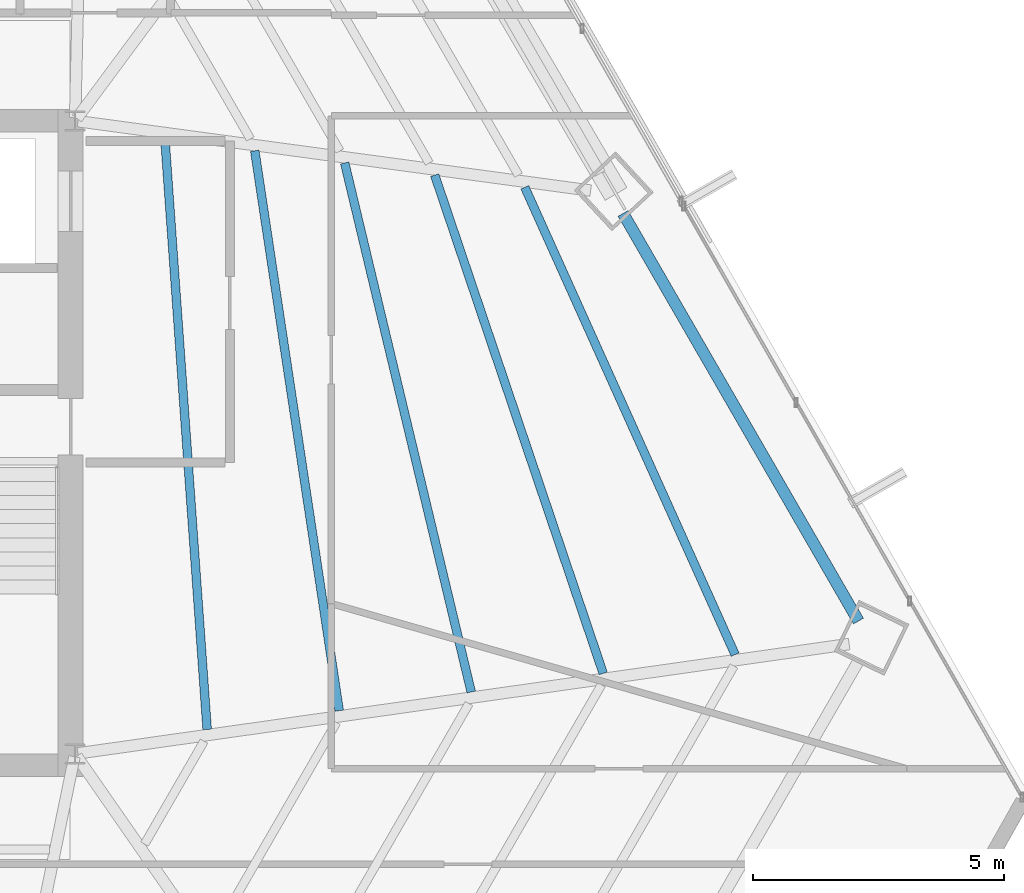
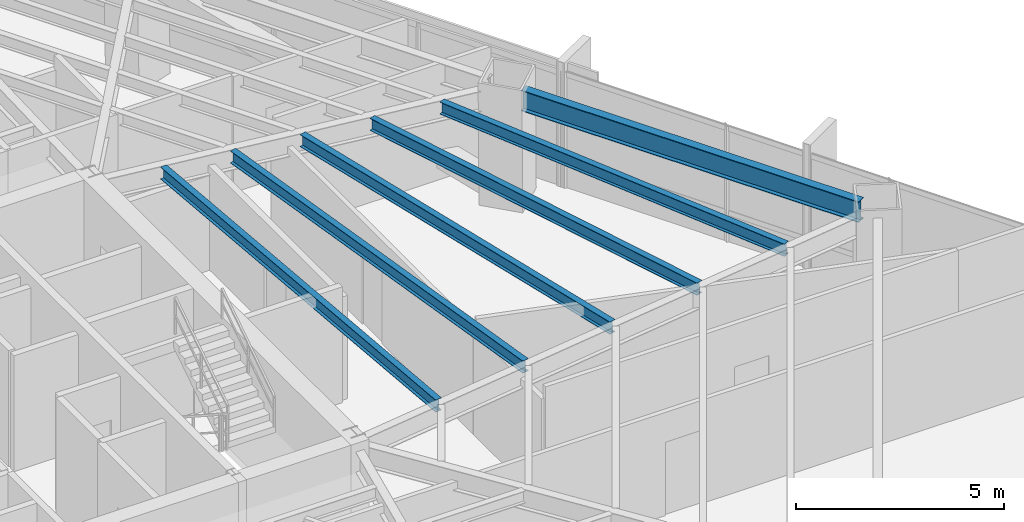
# One storey, part 20 of 36: 6 beams.
"""IFC4 building model written with IfcOpenShell, lengths in metres."""

from ifc_helpers import new_model, si_unit, direction, frame, origin, origin_2d, place, context, subcontext, project, spatial, i_section, extrude, source, transform, mapped, material, material_profile, profile_set, type_object, type_shapes, element, save


model = new_model("IFC4")

# Units and contexts
model_context = context("Model", 3, precision=1e-05, world=origin(), true_north=direction((0.0, 1.0)))
body_context = subcontext(model_context, "Body", "Model", "MODEL_VIEW")
ifc_project = project(units=[si_unit("LENGTHUNIT", "METRE"), si_unit("AREAUNIT", "SQUARE_METRE"), si_unit("VOLUMEUNIT", "CUBIC_METRE"), si_unit("PLANEANGLEUNIT", "RADIAN"), si_unit("MASSUNIT", "GRAM", prefix="KILO")], contexts=[model_context])

# Site, building, storey
site_placement = place(None, origin())
site = spatial("IfcSite", under=ifc_project, at=site_placement, CompositionType="ELEMENT")
building_placement = place(site_placement, origin())
building = spatial("IfcBuilding", under=site, at=building_placement, Name="Caelisora Broadcast Tower", CompositionType="ELEMENT")
storey_placement = place(building_placement, frame((0.0, 0.0, 83.5)))
storey = spatial("IfcBuildingStorey", under=building, at=storey_placement, Name="L21", CompositionType="ELEMENT", Elevation=83.5)

# Beams
ifc_material = material(Name="Steel Grade 350 (AS/NZS 3679.1)", Category="steel")
ifc_material_profile_1 = material_profile(ifc_material, i_section(OverallWidth=0.22900390625, OverallDepth=0.611572265625, WebThickness=0.011962890625, FlangeThickness=0.01953125, at=origin_2d()), Name="Steel Grade 350 (AS/NZS 3679.1)")
ifc_profile_set_1 = profile_set([ifc_material_profile_1], Name="Steel Grade 350 (AS/NZS 3679.1)")
beam_type_1 = type_object("IfcBeamType", Name="PG03", PredefinedType="BEAM", material=ifc_profile_set_1)
shared_shape_1 = source(origin(), body_context, "Body", "SweptSolid", [
    extrude(i_section(OverallWidth=0.22900390625, OverallDepth=0.611572265625, WebThickness=0.011962890625, FlangeThickness=0.01953125, at=origin_2d()), origin(), (0.0, 0.0, 1.0), 9.36962890625),
])
type_shapes(beam_type_1, [shared_shape_1])
beam_1_placement = place(storey_placement, frame((61.093505859375, 20.0419921875, 3.09423828125), z_axis=(-0.500003643774, 0.86602330004, 0.0), x_axis=(-0.86602330004, -0.500003643774, 0.0)))
element("IfcBeam", 1, at=beam_1_placement, inside=storey, type_object=beam_type_1, Name="L21 beam PG03", PredefinedType="BEAM", context=body_context, shape_type="MappedRepresentation", body=[
    mapped(shared_shape_1, transform((0.0, 0.0, 0.0), scale=1.0)),
])
ifc_material_profile_2 = material_profile(ifc_material, i_section(OverallWidth=0.172119140625, OverallDepth=0.358642578125, WebThickness=0.008056640625, FlangeThickness=0.012939453125, at=origin_2d()), Name="Steel Grade 350 (AS/NZS 3679.1)")
ifc_profile_set_2 = profile_set([ifc_material_profile_2], Name="Steel Grade 350 (AS/NZS 3679.1)")
beam_type_2 = type_object("IfcBeamType", Name="SB02", PredefinedType="JOIST", material=ifc_profile_set_2)
shared_shape_2 = source(origin(), body_context, "Body", "SweptSolid", [
    extrude(i_section(OverallWidth=0.172119140625, OverallDepth=0.358642578125, WebThickness=0.008056640625, FlangeThickness=0.012939453125, at=origin_2d()), origin(), (0.0, 0.0, 1.0), 11.791015625),
])
beam_2_placement = place(storey_placement, frame((48.12939453125, 17.885009765625, 3.220703125), z_axis=(-0.071372123725, 0.997449758111, 0.0), x_axis=(-0.997449758111, -0.071372123725, 0.0)))
element("IfcBeam", 2, at=beam_2_placement, inside=storey, type_object=beam_type_2, Name="L21 beam SB02", PredefinedType="JOIST", context=body_context, shape_type="MappedRepresentation", body=[
    mapped(shared_shape_2, transform((0.0, 0.0, 0.0), scale=1.0)),
])
shared_shape_3 = source(origin(), body_context, "Body", "SweptSolid", [
    extrude(i_section(OverallWidth=0.172119140625, OverallDepth=0.358642578125, WebThickness=0.008056640625, FlangeThickness=0.012939453125, at=origin_2d()), origin(), (0.0, 0.0, 1.0), 11.27197265625),
])
beam_3_placement = place(storey_placement, frame((50.7578125, 18.2578125, 3.220703125), z_axis=(-0.149122036075, 0.988818799557, 0.0), x_axis=(-0.988818799557, -0.149122036075, 0.0)))
element("IfcBeam", 3, at=beam_3_placement, inside=storey, type_object=beam_type_2, Name="L21 beam SB02", PredefinedType="JOIST", context=body_context, shape_type="MappedRepresentation", body=[
    mapped(shared_shape_3, transform((0.0, 0.0, 0.0), scale=1.0)),
])
shared_shape_4 = source(origin(), body_context, "Body", "SweptSolid", [
    extrude(i_section(OverallWidth=0.172119140625, OverallDepth=0.358642578125, WebThickness=0.008056640625, FlangeThickness=0.012939453125, at=origin_2d()), origin(), (0.0, 0.0, 1.0), 10.828125),
])
beam_4_placement = place(storey_placement, frame((53.3857421875, 18.63037109375, 3.220703125), z_axis=(-0.232618186176, 0.972568136153, 0.0), x_axis=(-0.972568136153, -0.232618186176, 0.0)))
element("IfcBeam", 4, at=beam_4_placement, inside=storey, type_object=beam_type_2, Name="L21 beam SB02", PredefinedType="JOIST", context=body_context, shape_type="MappedRepresentation", body=[
    mapped(shared_shape_4, transform((0.0, 0.0, 0.0), scale=1.0)),
])
shared_shape_5 = source(origin(), body_context, "Body", "SweptSolid", [
    extrude(i_section(OverallWidth=0.172119140625, OverallDepth=0.358642578125, WebThickness=0.008056640625, FlangeThickness=0.012939453125, at=origin_2d()), origin(), (0.0, 0.0, 1.0), 10.4677734375),
])
beam_5_placement = place(storey_placement, frame((56.0126953125, 19.002685546875, 3.220703125), z_axis=(-0.320387874312, 0.947286445588, 0.0), x_axis=(-0.947286445588, -0.320387874312, 0.0)))
element("IfcBeam", 5, at=beam_5_placement, inside=storey, type_object=beam_type_2, Name="L21 beam SB02", PredefinedType="JOIST", context=body_context, shape_type="MappedRepresentation", body=[
    mapped(shared_shape_5, transform((0.0, 0.0, 0.0), scale=1.0)),
])
shared_shape_6 = source(origin(), body_context, "Body", "SweptSolid", [
    extrude(i_section(OverallWidth=0.172119140625, OverallDepth=0.358642578125, WebThickness=0.008056640625, FlangeThickness=0.012939453125, at=origin_2d()), origin(), (0.0, 0.0, 1.0), 10.19921875),
])
type_shapes(beam_type_2, [shared_shape_2, shared_shape_3, shared_shape_4, shared_shape_5, shared_shape_6])
beam_6_placement = place(storey_placement, frame((58.638671875, 19.375244140625, 3.220703125), z_axis=(-0.410429371769, 0.911892389918, 0.0), x_axis=(-0.911892389918, -0.410429371769, 0.0)))
element("IfcBeam", 6, at=beam_6_placement, inside=storey, type_object=beam_type_2, Name="L21 beam SB02", PredefinedType="JOIST", context=body_context, shape_type="MappedRepresentation", body=[
    mapped(shared_shape_6, transform((0.0, 0.0, 0.0), scale=1.0)),
])

save(model, "model.ifc")
